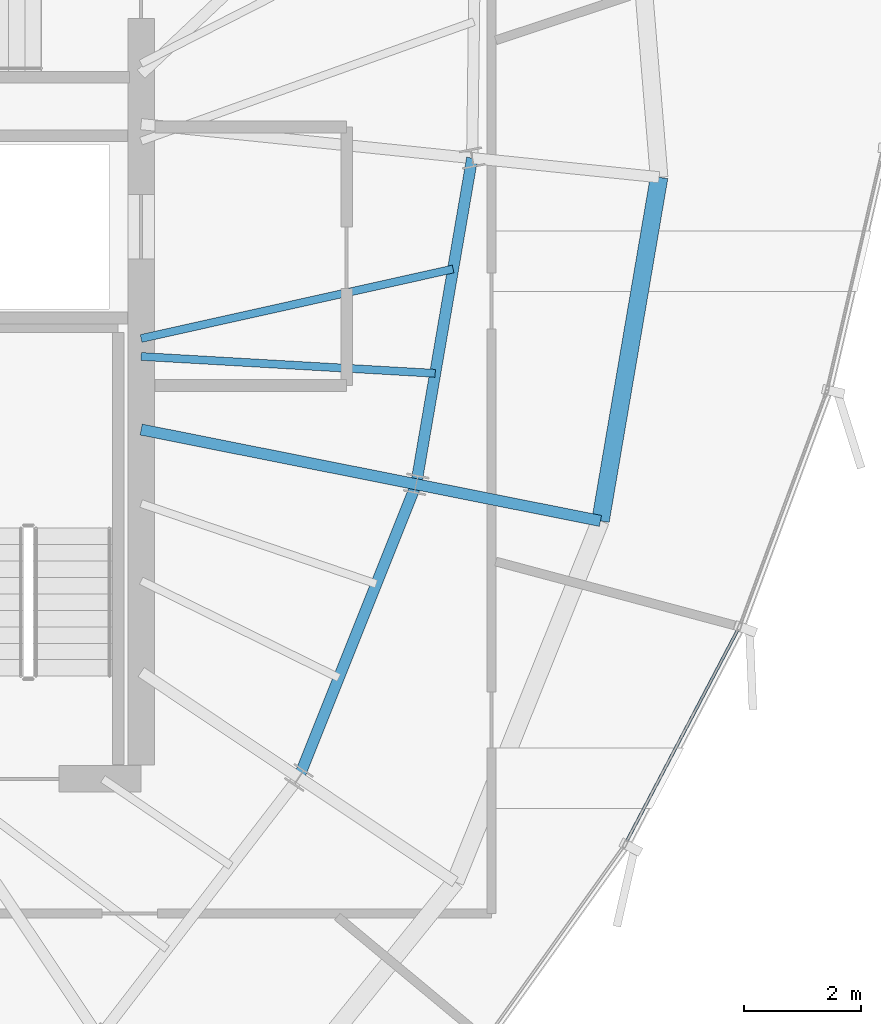
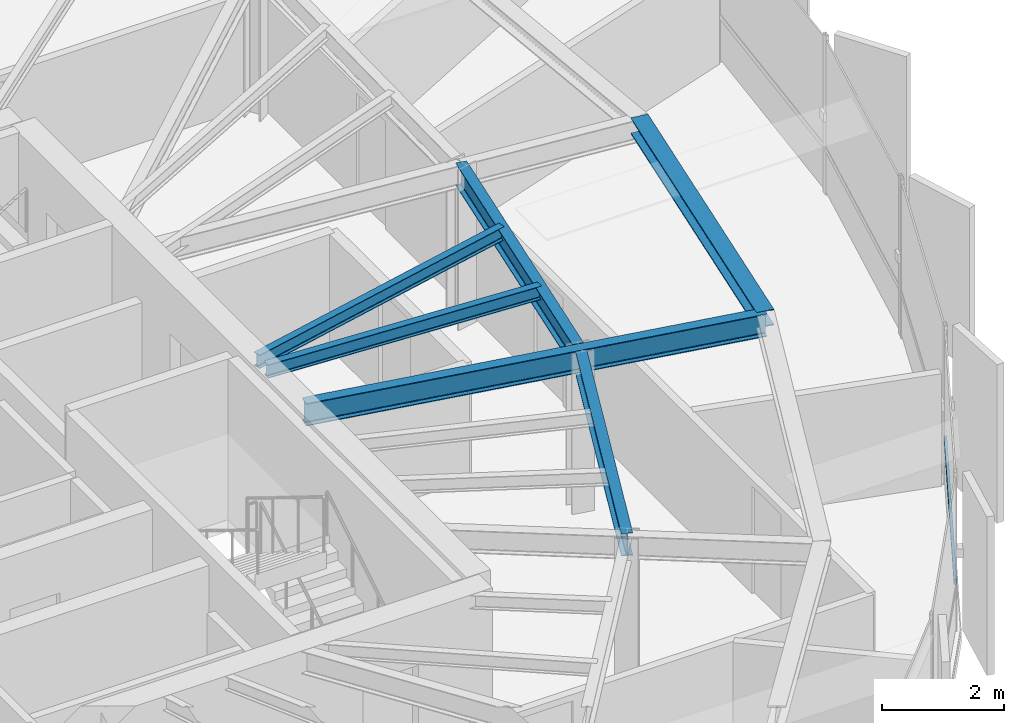
# One storey, part 14 of 33: 7 beams, 1 member, 1 element without a shape of its own.
"""IFC4 building model written with IfcOpenShell, lengths in metres."""

from ifc_helpers import new_model, si_unit, direction, frame, origin, origin_2d, place, context, subcontext, project, spatial, hollow_rectangle, i_section, extrude, source, transform, mapped, material, layer, layer_set, material_profile, profile_set, type_object, element, aggregate, save


model = new_model("IFC4")

# Units and contexts
model_context = context("Model", 3, precision=1e-05, world=origin(), true_north=direction((0.0, 1.0)))
body_context = subcontext(model_context, "Body", "Model", "MODEL_VIEW")
ifc_project = project(units=[si_unit("LENGTHUNIT", "METRE"), si_unit("AREAUNIT", "SQUARE_METRE"), si_unit("VOLUMEUNIT", "CUBIC_METRE"), si_unit("PLANEANGLEUNIT", "RADIAN"), si_unit("MASSUNIT", "GRAM", prefix="KILO"), si_unit("THERMODYNAMICTEMPERATUREUNIT", "KELVIN")], contexts=[model_context])

# Site, building, storey
site_placement = place(None, origin())
site = spatial("IfcSite", under=ifc_project, at=site_placement, CompositionType="ELEMENT")
building_placement = place(site_placement, origin())
building = spatial("IfcBuilding", under=site, at=building_placement, Name="Kethvar Cultural Tower", CompositionType="ELEMENT")
storey_placement = place(building_placement, frame((0.0, 0.0, 238.75)))
storey = spatial("IfcBuildingStorey", under=building, at=storey_placement, Name="L62", CompositionType="ELEMENT", Elevation=238.75)

# Beams
ifc_material_1 = material(Name="Steel S355J2", Category="steel")
ifc_material_profile_1 = material_profile(ifc_material_1, i_section(OverallWidth=0.18994140625, OverallDepth=0.449951171875, WebThickness=0.009521484375, FlangeThickness=0.0146484375, FilletRadius=0.02099609375, at=origin_2d()), Name="Steel S355J2 — IPE450")
ifc_profile_set_1 = profile_set([ifc_material_profile_1], Name="Steel S355J2 — IPE450")
beam_type_1 = type_object("IfcBeamType", Name="BM-IPE450", PredefinedType="BEAM", material=ifc_profile_set_1)
shared_shape_1 = source(origin(), body_context, "Body", "SweptSolid", [
    extrude(i_section(OverallWidth=0.18994140625, OverallDepth=0.449951171875, WebThickness=0.009521484375, FlangeThickness=0.0146484375, FilletRadius=0.02099609375, at=origin_2d()), origin(), (0.0, 0.0, 1.0), 3.199951171875),
])
beam_1_placement = place(storey_placement, frame((60.28369140625, 25.117919921875, 2.98291015625), z_axis=(0.980785550224, -0.195088965533, 0.0), x_axis=(0.195088965533, 0.980785550224, 0.0)))
element("IfcBeam", 1, at=beam_1_placement, inside=storey, type_object=beam_type_1, Name="L62 Perimeter Cantilever Beam RC-16", PredefinedType="BEAM", context=body_context, shape_type="MappedRepresentation", body=[
    mapped(shared_shape_1, transform((0.0, 0.0, 0.0), scale=1.0)),
])
shared_shape_2 = source(origin(), body_context, "Body", "SweptSolid", [
    extrude(i_section(OverallWidth=0.18994140625, OverallDepth=0.449951171875, WebThickness=0.009521484375, FlangeThickness=0.0146484375, FilletRadius=0.02099609375, at=origin_2d()), origin(), (0.0, 0.0, 1.0), 4.775390625),
])
beam_2_placement = place(storey_placement, frame((55.60009765625, 26.049560546875, 2.98291015625), z_axis=(0.980784643133, -0.195093525761, 0.0), x_axis=(0.195093525761, 0.980784643133, 0.0)))
element("IfcBeam", 2, at=beam_2_placement, inside=storey, type_object=beam_type_1, Name="L62 Primary Radial Beam RB-16", PredefinedType="BEAM", context=body_context, shape_type="MappedRepresentation", body=[
    mapped(shared_shape_2, transform((0.0, 0.0, 0.0), scale=1.0)),
])
shared_shape_3 = source(origin(), body_context, "Body", "SweptSolid", [
    extrude(i_section(OverallWidth=0.18994140625, OverallDepth=0.449951171875, WebThickness=0.009521484375, FlangeThickness=0.0146484375, FilletRadius=0.02099609375, at=origin_2d()), origin(), (0.0, 0.0, 1.0), 5.377685546875),
])
beam_3_placement = place(storey_placement, frame((58.287109375, 20.12451171875, 2.98291015625), z_axis=(0.371265436914, 0.928526776864, 0.0), x_axis=(-0.928526776864, 0.371265436914, 0.0)))
element("IfcBeam", 3, at=beam_3_placement, inside=storey, type_object=beam_type_1, Name="L62 Column Ring Tie Beam CR-15", PredefinedType="BEAM", context=body_context, shape_type="MappedRepresentation", body=[
    mapped(shared_shape_3, transform((0.0, 0.0, 0.0), scale=1.0)),
])
shared_shape_4 = source(origin(), body_context, "Body", "SweptSolid", [
    extrude(i_section(OverallWidth=0.18994140625, OverallDepth=0.449951171875, WebThickness=0.009521484375, FlangeThickness=0.0146484375, FilletRadius=0.02099609375, at=origin_2d()), origin(), (0.0, 0.0, 1.0), 5.635009765625),
])
beam_4_placement = place(storey_placement, frame((60.28369140625, 25.117919921875, 2.98291015625), z_axis=(0.169188687614, 0.985583678834, 0.0), x_axis=(-0.985583678834, 0.169188687614, 0.0)))
element("IfcBeam", 4, at=beam_4_placement, inside=storey, type_object=beam_type_1, Name="L62 Column Ring Tie Beam CR-16", PredefinedType="BEAM", context=body_context, shape_type="MappedRepresentation", body=[
    mapped(shared_shape_4, transform((0.0, 0.0, 0.0), scale=1.0)),
])
ifc_material_profile_2 = material_profile(ifc_material_1, i_section(OverallWidth=0.300048828125, OverallDepth=0.320068359375, WebThickness=0.011474609375, FlangeThickness=0.0205078125, FilletRadius=0.027099609375, at=origin_2d()), Name="Steel S355J2 — HEB320")
ifc_profile_set_2 = profile_set([ifc_material_profile_2], Name="Steel S355J2 — HEB320")
beam_type_2 = type_object("IfcBeamType", Name="BM-SP320", PredefinedType="SPANDREL", material=ifc_profile_set_2)
shared_shape_5 = source(origin(), body_context, "Body", "SweptSolid", [
    extrude(i_section(OverallWidth=0.300048828125, OverallDepth=0.320068359375, WebThickness=0.011474609375, FlangeThickness=0.0205078125, FilletRadius=0.027099609375, at=origin_2d()), origin(), (0.0, 0.0, 1.0), 5.93603515625),
])
beam_5_placement = place(storey_placement, frame((63.422119140625, 24.49365234375, 3.048095703125), z_axis=(0.16817267321, 0.985757552335, 0.0), x_axis=(-0.985757552335, 0.16817267321, 0.0)))
element("IfcBeam", 5, at=beam_5_placement, inside=storey, type_object=beam_type_2, Name="L62 Perimeter Spandrel Beam SP-16", PredefinedType="SPANDREL", context=body_context, shape_type="MappedRepresentation", body=[
    mapped(shared_shape_5, transform((0.0, 0.0, 0.0), scale=1.0)),
])
ifc_material_profile_3 = material_profile(ifc_material_1, i_section(OverallWidth=0.135009765625, OverallDepth=0.27001953125, WebThickness=0.006591796875, FlangeThickness=0.01025390625, FilletRadius=0.014892578125, at=origin_2d()), Name="Steel S355J2 — IPE270")
ifc_profile_set_3 = profile_set([ifc_material_profile_3], Name="Steel S355J2 — IPE270")
beam_type_3 = type_object("IfcBeamType", Name="BM-J270", PredefinedType="JOIST", material=ifc_profile_set_3)
shared_shape_6 = source(origin(), body_context, "Body", "SweptSolid", [
    extrude(i_section(OverallWidth=0.135009765625, OverallDepth=0.27001953125, WebThickness=0.006591796875, FlangeThickness=0.01025390625, FilletRadius=0.014892578125, at=origin_2d()), origin(), (0.0, 0.0, 1.0), 5.01611328125),
])
beam_6_placement = place(storey_placement, frame((55.60009765625, 27.294189453125, 3.072998046875), z_axis=(0.998352190078, -0.057383835418, 0.0), x_axis=(0.057383835418, 0.998352190078, 0.0)))
element("IfcBeam", 6, at=beam_6_placement, inside=storey, type_object=beam_type_3, Name="L62 Composite Floor Joist J-16A", PredefinedType="JOIST", context=body_context, shape_type="MappedRepresentation", body=[
    mapped(shared_shape_6, transform((0.0, 0.0, 0.0), scale=1.0)),
])
shared_shape_7 = source(origin(), body_context, "Body", "SweptSolid", [
    extrude(i_section(OverallWidth=0.135009765625, OverallDepth=0.27001953125, WebThickness=0.006591796875, FlangeThickness=0.01025390625, FilletRadius=0.014892578125, at=origin_2d()), origin(), (0.0, 0.0, 1.0), 5.44287109375),
])
beam_7_placement = place(storey_placement, frame((55.60009765625, 27.60009765625, 3.072998046875), z_axis=(0.976080346759, 0.217410111702, 0.0), x_axis=(-0.217410111702, 0.976080346759, 0.0)))
element("IfcBeam", 7, at=beam_7_placement, inside=storey, type_object=beam_type_3, Name="L62 Composite Floor Joist J-16B", PredefinedType="JOIST", context=body_context, shape_type="MappedRepresentation", body=[
    mapped(shared_shape_7, transform((0.0, 0.0, 0.0), scale=1.0)),
])

# Curtain wall, member
ifc_material_2 = material(Name="Aluminium 6063-T6", Category="aluminium")
ifc_layer = layer(ifc_material_2, 0.179931640625, Name="Aluminium 6063-T6", Category="aluminium")
ifc_layer_set = layer_set([ifc_layer], Name="Aluminium 6063-T6 (180 mm)")
curtain_wall_type = type_object("IfcCurtainWallType", Name="CW-SYS-05-Z56", PredefinedType="NOTDEFINED", material=ifc_layer_set)
curtain_wall_placement = place(storey_placement, origin())
curtain_wall = element("IfcCurtainWall", 8, at=curtain_wall_placement, inside=storey, type_object=curtain_wall_type, Name="L62 Curtain Wall Run 05", PredefinedType="NOTDEFINED")
ifc_material_profile_4 = material_profile(ifc_material_2, hollow_rectangle(XDim=0.050048828125, YDim=0.10009765625, WallThickness=0.00390625, at=origin_2d()), Name="Aluminium 6063-T6 — RHS100x50x4")
ifc_profile_set_4 = profile_set([ifc_material_profile_4], Name="Aluminium 6063-T6 — RHS100x50x4")
member_type = type_object("IfcMemberType", Name="CW-SYS-05-Z56-TRN", PredefinedType="USERDEFINED", material=ifc_profile_set_4)
shared_shape_8 = source(origin(), body_context, "Body", "SweptSolid", [
    extrude(hollow_rectangle(XDim=0.050048828125, YDim=0.10009765625, WallThickness=0.00390625, at=origin_2d()), origin(), (0.0, 0.0, 1.0), 4.119384765625),
])
member_placement = place(storey_placement, frame((63.85986328125, 19.0234375, 0.949951171875), z_axis=(0.465350684714, 0.885126397887, 0.0), x_axis=(-0.885126397887, 0.465350684714, 0.0)))
member = element("IfcMember", 9, at=member_placement, type_object=member_type, Name="CW-L62-R05 Transom 5", ObjectType="TRANSOM", PredefinedType="USERDEFINED", context=body_context, shape_type="MappedRepresentation", body=[
    mapped(shared_shape_8, transform((0.0, 0.0, 0.0), scale=1.0)),
])
aggregate(curtain_wall, [member])

save(model, "model.ifc")
